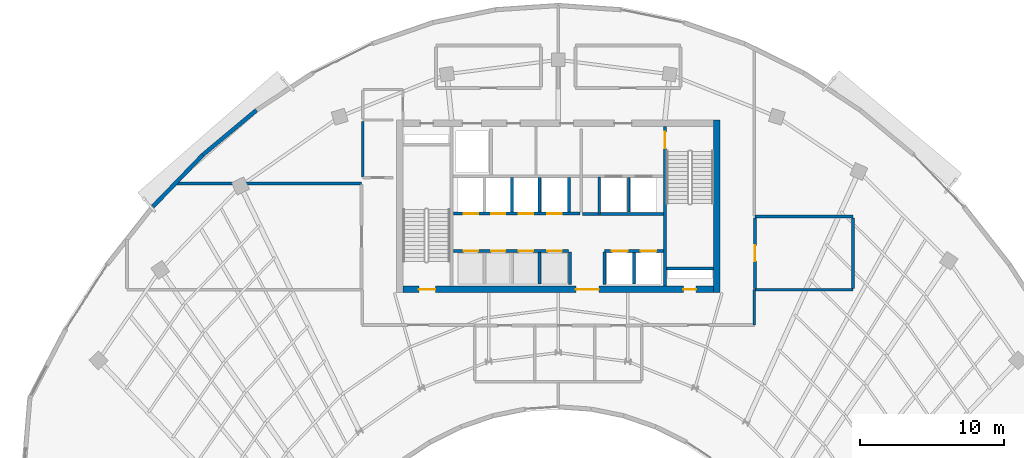
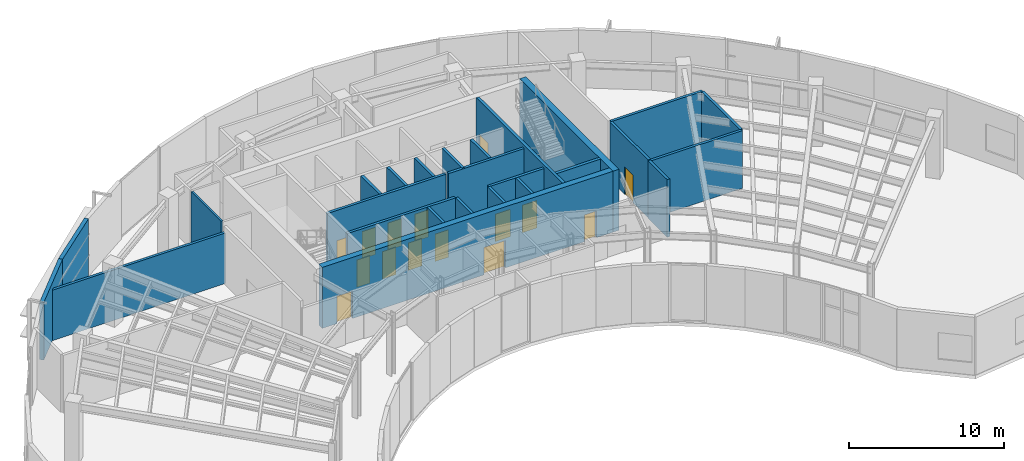
# One storey, part 9 of 15: 26 walls, 15 doors, 15 openings.
"""IFC4 building model written with IfcOpenShell, lengths in metres."""

from ifc_helpers import new_model, si_unit, direction, frame, frame_2d, origin, place, context, subcontext, project, spatial, rectangle, extrude, source, transform, mapped, material, layer, layer_set, type_object, type_shapes, element, fill, save


model = new_model("IFC4")

# Units and contexts
model_context = context("Model", 3, precision=1e-05, world=origin(), true_north=direction((0.0, 1.0)))
body_context = subcontext(model_context, "Body", "Model", "MODEL_VIEW")
ifc_project = project(units=[si_unit("LENGTHUNIT", "METRE"), si_unit("AREAUNIT", "SQUARE_METRE"), si_unit("VOLUMEUNIT", "CUBIC_METRE"), si_unit("PLANEANGLEUNIT", "RADIAN"), si_unit("MASSUNIT", "GRAM", prefix="KILO")], contexts=[model_context])

# Site, building, storey
site_placement = place(None, origin())
site = spatial("IfcSite", under=ifc_project, at=site_placement, CompositionType="ELEMENT")
building_placement = place(site_placement, origin())
building = spatial("IfcBuilding", under=site, at=building_placement, Name="Breltana Convention Tower", CompositionType="ELEMENT")
storey_placement = place(building_placement, frame((0.0, 0.0, 199.199951171875)))
storey = spatial("IfcBuildingStorey", under=building, at=storey_placement, Name="L48", CompositionType="ELEMENT", Elevation=199.199951171875)

# Walls
ifc_material_1 = material(Name="Concrete C50/60", Category="concrete")
ifc_layer_1 = layer(ifc_material_1, 0.39990234375, Name="Concrete C50/60")
ifc_layer_set_1 = layer_set([ifc_layer_1], Name="Concrete C50/60")
wall_type_1 = type_object("IfcWallType", Name="SW-CORE-400", PredefinedType="SHEAR", material=ifc_layer_set_1)
shared_shape_1 = source(origin(), body_context, "Body", "SweptSolid", [
    extrude(rectangle(XDim=3.27001953125, YDim=0.219970703125, at=frame_2d((1.635009765625, 0.0))), origin(), (0.0, 0.0, 1.0), 4.800048828125),
])
wall_1_placement = place(storey_placement, frame((55.530029296875, 61.889892578125, 0.0), z_axis=(0.0, 0.0, 1.0), x_axis=(1.0, 0.0, 0.0)))
element("IfcWall", 1, at=wall_1_placement, inside=storey, type_object=wall_type_1, Name="L48 ST-2 Stairwell South Bearing Wall", PredefinedType="SHEAR", context=body_context, shape_type="MappedRepresentation", body=[
    mapped(shared_shape_1, transform((0.0, 0.0, 0.0), scale=1.0)),
])
ifc_material_2 = material(Name="Concrete C60/75", Category="concrete")
ifc_layer_2 = layer(ifc_material_2, 0.449951171875, Name="Concrete C60/75")
ifc_layer_set_2 = layer_set([ifc_layer_2], Name="Concrete C60/75")
wall_type_2 = type_object("IfcWallType", Name="SW-CORE-450", PredefinedType="SHEAR", material=ifc_layer_set_2)
shared_shape_2 = source(origin(), body_context, "Body", "SweptSolid", [
    extrude(rectangle(XDim=12.0, YDim=0.449951171875, at=frame_2d((6.0, 0.0))), origin(), (0.0, 0.0, 1.0), 4.800048828125),
])
wall_2_placement = place(storey_placement, frame((59.02490234375, 60.199951171875, 0.0), z_axis=(0.0, 0.0, 1.0), x_axis=(0.0, 1.0, 0.0)))
element("IfcWall", 2, at=wall_2_placement, inside=storey, type_object=wall_type_2, Name="L48 East Core Shear Wall", PredefinedType="SHEAR", context=body_context, shape_type="MappedRepresentation", body=[
    mapped(shared_shape_2, transform((0.0, 0.0, 0.0), scale=1.0)),
])

# Wall, openings, doors
shared_shape_3 = source(origin(), body_context, "Body", "SweptSolid", [
    extrude(rectangle(XDim=21.60009765625, YDim=0.449951171875, at=frame_2d((10.800048828125, 0.0))), origin(), (0.0, 0.0, 1.0), 4.800048828125),
])
wall_3_placement = place(storey_placement, frame((37.199951171875, 60.425048828125, 0.0), z_axis=(0.0, 0.0, 1.0), x_axis=(1.0, 0.0, 0.0)))
wall_3 = element("IfcWall", 3, at=wall_3_placement, inside=storey, type_object=wall_type_2, Name="L48 South Core Shear Wall", PredefinedType="SHEAR", context=body_context, shape_type="MappedRepresentation", body=[
    mapped(shared_shape_3, transform((0.0, 0.0, 0.0), scale=1.0)),
])
opening_1_placement = place(wall_3_placement, frame((1.10009765625, 0.0, 0.0)))
opening_1 = element("IfcOpeningElement", 4, at=opening_1_placement, cuts=wall_3, Name="Opening D-11", PredefinedType="OPENING", context=body_context, shape_type="SweptSolid", body=[
    extrude(rectangle(XDim=1.14990234375, YDim=2.14990234375, at=frame_2d((0.574951171875, 1.074951171875))), frame((0.0, 0.23486328125, 0.0), z_axis=(0.0, -1.0, 0.0), x_axis=(1.0, 0.0, 0.0)), (0.0, 0.0, 1.0), 0.469970703125),
])
opening_2_placement = place(wall_3_placement, frame((19.5, 0.0, 0.0)))
opening_2 = element("IfcOpeningElement", 5, at=opening_2_placement, cuts=wall_3, Name="Opening D-18", PredefinedType="OPENING", context=body_context, shape_type="SweptSolid", body=[
    extrude(rectangle(XDim=0.89990234375, YDim=2.10009765625, at=frame_2d((0.449951171875, 1.050048828125))), frame((0.0, 0.23486328125, 0.0), z_axis=(0.0, -1.0, 0.0), x_axis=(1.0, 0.0, 0.0)), (0.0, 0.0, 1.0), 0.469970703125),
])
opening_3_placement = place(wall_3_placement, frame((12.02001953125, 0.0, 0.0)))
opening_3 = element("IfcOpeningElement", 6, at=opening_3_placement, cuts=wall_3, Name="Opening D-02", PredefinedType="OPENING", context=body_context, shape_type="SweptSolid", body=[
    extrude(rectangle(XDim=1.60009765625, YDim=2.14990234375, at=frame_2d((0.800048828125, 1.074951171875))), frame((0.0, 0.23486328125, 0.0), z_axis=(0.0, -1.0, 0.0), x_axis=(1.0, 0.0, 0.0)), (0.0, 0.0, 1.0), 0.469970703125),
])
ifc_material_3 = material(Name="Steel Stair Exit Door", Category="steel")
door_type_1 = type_object("IfcDoorType", Name="DR-FD120-1150", OperationType="NOTDEFINED", PredefinedType="DOOR", material=ifc_material_3)
shared_shape_4 = source(origin(), body_context, "Body", "SweptSolid", [
    extrude(rectangle(XDim=1.14990234375, YDim=2.14990234375, at=frame_2d((0.574951171875, 1.074951171875))), frame((0.0, 0.02490234375, 0.0), z_axis=(0.0, -1.0, 0.0), x_axis=(1.0, 0.0, 0.0)), (0.0, 0.0, 1.0), 0.050048828125),
])
type_shapes(door_type_1, [shared_shape_4])
door_1_placement = place(opening_1_placement, origin())
door_1 = element("IfcDoor", 7, at=door_1_placement, inside=storey, type_object=door_type_1, Name="L48 interior door D-L48-ST1", OperationType="SINGLE_SWING_LEFT", OverallHeight=2.14990234375, OverallWidth=1.14990234375, PredefinedType="DOOR", context=body_context, shape_type="MappedRepresentation", body=[
    mapped(shared_shape_4, transform((0.0, 0.0, 0.0), scale=1.0)),
])
fill(opening_1, door_1)
ifc_material_4 = material(Name="Steel Riser Fire Door", Category="steel")
door_type_2 = type_object("IfcDoorType", Name="DR-FD60-900", OperationType="NOTDEFINED", PredefinedType="DOOR", material=ifc_material_4)
shared_shape_5 = source(origin(), body_context, "Body", "SweptSolid", [
    extrude(rectangle(XDim=0.89990234375, YDim=2.10009765625, at=frame_2d((0.449951171875, 1.050048828125))), frame((0.0, 0.02490234375, 0.0), z_axis=(0.0, -1.0, 0.0), x_axis=(1.0, 0.0, 0.0)), (0.0, 0.0, 1.0), 0.050048828125),
])
type_shapes(door_type_2, [shared_shape_5])
door_2_placement = place(opening_2_placement, origin())
door_2 = element("IfcDoor", 8, at=door_2_placement, inside=storey, type_object=door_type_2, Name="L48 Core Riser Access Door D-L48-RS2", OperationType="SINGLE_SWING_RIGHT", OverallHeight=2.10009765625, OverallWidth=0.89990234375, PredefinedType="DOOR", context=body_context, shape_type="MappedRepresentation", body=[
    mapped(shared_shape_5, transform((0.0, 0.0, 0.0), scale=1.0)),
])
fill(opening_2, door_2)
ifc_material_5 = material(Name="Steel Glazed Smoke-Control Door", Category="steel")
door_type_3 = type_object("IfcDoorType", Name="DR-DBL-FD90-1600", OperationType="DOUBLE_DOOR_SINGLE_SWING", PredefinedType="DOOR", material=ifc_material_5)
shared_shape_6 = source(origin(), body_context, "Body", "SweptSolid", [
    extrude(rectangle(XDim=1.60009765625, YDim=2.14990234375, at=frame_2d((0.800048828125, 1.074951171875))), frame((0.0, 0.02490234375, 0.0), z_axis=(0.0, -1.0, 0.0), x_axis=(1.0, 0.0, 0.0)), (0.0, 0.0, 1.0), 0.050048828125),
])
type_shapes(door_type_3, [shared_shape_6])
door_3_placement = place(opening_3_placement, origin())
door_3 = element("IfcDoor", 9, at=door_3_placement, inside=storey, type_object=door_type_3, Name="L48 interior door D-L48-LLB-S", OperationType="DOUBLE_DOOR_SINGLE_SWING", OverallHeight=2.14990234375, OverallWidth=1.60009765625, PredefinedType="DOOR", context=body_context, shape_type="MappedRepresentation", body=[
    mapped(shared_shape_6, transform((0.0, 0.0, 0.0), scale=1.0)),
])
fill(opening_3, door_3)

# Wall, opening, door
shared_shape_7 = source(origin(), body_context, "Body", "SweptSolid", [
    extrude(rectangle(XDim=11.10009765625, YDim=0.219970703125, at=frame_2d((5.550048828125, 0.0))), origin(), (0.0, 0.0, 1.0), 4.800048828125),
])
wall_4_placement = place(storey_placement, frame((55.419921875, 60.64990234375, 0.0), z_axis=(0.0, 0.0, 1.0), x_axis=(0.0, 1.0, 0.0)))
wall_4 = element("IfcWall", 10, at=wall_4_placement, inside=storey, type_object=wall_type_1, Name="L48 Core East Stair Spine Wall", PredefinedType="SHEAR", context=body_context, shape_type="MappedRepresentation", body=[
    mapped(shared_shape_7, transform((0.0, 0.0, 0.0), scale=1.0)),
])
opening_4_placement = place(wall_4_placement, frame((9.594970703125, 0.0, 0.0)))
opening_4 = element("IfcOpeningElement", 11, at=opening_4_placement, cuts=wall_4, Name="Opening D-11", PredefinedType="OPENING", context=body_context, shape_type="SweptSolid", body=[
    extrude(rectangle(XDim=1.14990234375, YDim=2.14990234375, at=frame_2d((0.574951171875, 1.074951171875))), frame((0.0, 0.1201171875, 0.0), z_axis=(0.0, -1.0, 0.0), x_axis=(1.0, 0.0, 0.0)), (0.0, 0.0, 1.0), 0.239990234375),
])
door_4_placement = place(opening_4_placement, origin())
door_4 = element("IfcDoor", 12, at=door_4_placement, inside=storey, type_object=door_type_1, Name="L48 interior door D-L48-ST2", OperationType="SINGLE_SWING_LEFT", OverallHeight=2.14990234375, OverallWidth=1.14990234375, PredefinedType="DOOR", context=body_context, shape_type="MappedRepresentation", body=[
    mapped(shared_shape_4, transform((0.0, 0.0, 0.0), scale=1.0)),
])
fill(opening_4, door_4)

# Walls
ifc_material_6 = material(Name="Limestone Buff Insulated Wall", Category="masonry")
ifc_layer_3 = layer(ifc_material_6, 0.280029296875, Name="Limestone Buff Insulated Wall")
ifc_layer_set_3 = layer_set([ifc_layer_3], Name="Limestone Buff Insulated Wall")
wall_type_3 = type_object("IfcWallType", Name="WL-EXT-NOSE-280", PredefinedType="SOLIDWALL", material=ifc_layer_set_3)
shared_shape_8 = source(origin(), body_context, "Body", "SweptSolid", [
    extrude(rectangle(XDim=5.000732421875, YDim=0.280029296875, at=frame_2d((2.50048828125, 0.0))), origin(), (0.0, 0.0, 1.0), 4.5400390625),
])
wall_5_placement = place(storey_placement, frame((19.794677734375, 66.190185546875, 0.0), z_axis=(0.0, 0.0, 1.0), x_axis=(0.694572731818, 0.719422490762, 0.0)))
element("IfcWall", 13, at=wall_5_placement, inside=storey, type_object=wall_type_3, Name="L48 curved limestone nose wall E21", PredefinedType="SOLIDWALL", context=body_context, shape_type="MappedRepresentation", body=[
    mapped(shared_shape_8, transform((0.0, 0.0, 0.0), scale=1.0)),
])
shared_shape_9 = source(origin(), body_context, "Body", "SweptSolid", [
    extrude(rectangle(XDim=4.851806640625, YDim=0.280029296875, at=frame_2d((2.42578125, 0.0))), origin(), (0.0, 0.0, 1.0), 4.5400390625),
])
wall_6_placement = place(storey_placement, frame((23.26806640625, 69.787841796875, 0.0), z_axis=(0.0, 0.0, 1.0), x_axis=(0.767936605821, 0.640525853843, 0.0)))
element("IfcWall", 14, at=wall_6_placement, inside=storey, type_object=wall_type_3, Name="L48 curved limestone nose wall E22", PredefinedType="SOLIDWALL", context=body_context, shape_type="MappedRepresentation", body=[
    mapped(shared_shape_9, transform((0.0, 0.0, 0.0), scale=1.0)),
])
ifc_material_7 = material(Name="Autoclaved Aerated Concrete Block", Category="concrete")
ifc_layer_4 = layer(ifc_material_7, 0.199951171875, Name="Autoclaved Aerated Concrete Block")
ifc_layer_set_4 = layer_set([ifc_layer_4], Name="Autoclaved Aerated Concrete Block")
wall_type_4 = type_object("IfcWallType", Name="WL-SHAFT-200", PredefinedType="SOLIDWALL", material=ifc_layer_set_4)
shared_shape_10 = source(origin(), body_context, "Body", "SweptSolid", [
    extrude(rectangle(XDim=2.239990234375, YDim=0.199951171875, at=frame_2d((1.1201171875, 0.0))), origin(), (0.0, 0.0, 1.0), 4.5400390625),
])
for number, where, z_axis, x_axis, name in (
    (15, (48.820068359375, 60.780029296875, 0.0), (0.0, 0.0, 1.0), (0.0, 1.0, 0.0), "L48 interior partition W-L48-PORT-W"),
    (16, (51.219970703125, 60.780029296875, 0.0), (0.0, 0.0, 1.0), (0.0, 1.0, 0.0), "L48 interior partition W-L48-PORT-E"),
):
    element("IfcWall", number, at=place(storey_placement, frame(where, z_axis=z_axis, x_axis=x_axis)), inside=storey, type_object=wall_type_4, Name=name, PredefinedType="SOLIDWALL", context=body_context, shape_type="MappedRepresentation", body=[
        mapped(shared_shape_10, transform((0.0, 0.0, 0.0), scale=1.0)),
    ])
shared_shape_11 = source(origin(), body_context, "Body", "SweptSolid", [
    extrude(rectangle(XDim=5.6201171875, YDim=0.199951171875, at=frame_2d((2.81005859375, 0.0))), origin(), (0.0, 0.0, 1.0), 4.5400390625),
])
wall_7_placement = place(storey_placement, frame((49.699951171875, 65.679931640625, 0.0), z_axis=(0.0, 0.0, 1.0), x_axis=(1.0, 0.0, 0.0)))
element("IfcWall", 17, at=wall_7_placement, inside=storey, type_object=wall_type_4, Name="L48 interior partition W-L48-FL-S", PredefinedType="SOLIDWALL", context=body_context, shape_type="MappedRepresentation", body=[
    mapped(shared_shape_11, transform((0.0, 0.0, 0.0), scale=1.0)),
])
shared_shape_12 = source(origin(), body_context, "Body", "SweptSolid", [
    extrude(rectangle(XDim=2.580078125, YDim=0.199951171875, at=frame_2d((1.2900390625, 0.0))), origin(), (0.0, 0.0, 1.0), 4.5400390625),
])
wall_8_placement = place(storey_placement, frame((50.85009765625, 65.679931640625, 0.0), z_axis=(0.0, 0.0, 1.0), x_axis=(0.0, 1.0, 0.0)))
element("IfcWall", 18, at=wall_8_placement, inside=storey, type_object=wall_type_4, Name="L48 interior partition W-L48-FL-W", PredefinedType="SOLIDWALL", context=body_context, shape_type="MappedRepresentation", body=[
    mapped(shared_shape_12, transform((0.0, 0.0, 0.0), scale=1.0)),
])
shared_shape_13 = source(origin(), body_context, "Body", "SweptSolid", [
    extrude(rectangle(XDim=2.39990234375, YDim=0.199951171875, at=frame_2d((1.199951171875, 0.0))), origin(), (0.0, 0.0, 1.0), 4.5400390625),
])
for number, where, z_axis, x_axis, name in (
    (19, (52.89990234375, 65.800048828125, 0.0), (0.0, 0.0, 1.0), (0.0, 1.0, 0.0), "L48 interior partition W-L48-FL-DIV"),
    (20, (48.75, 65.800048828125, 0.0), (0.0, 0.0, 1.0), (0.0, 1.0, 0.0), "L48 interior partition W-L48-SH-M-END"),
    (21, (44.77001953125, 65.800048828125, 0.0), (0.0, 0.0, 1.0), (0.0, 1.0, 0.0), "L48 interior partition W-L48-SH-M-DIV2"),
    (22, (46.699951171875, 65.800048828125, 0.0), (0.0, 0.0, 1.0), (0.0, 1.0, 0.0), "L48 interior partition W-L48-SH-M-DIV3"),
):
    element("IfcWall", number, at=place(storey_placement, frame(where, z_axis=z_axis, x_axis=x_axis)), inside=storey, type_object=wall_type_4, Name=name, PredefinedType="SOLIDWALL", context=body_context, shape_type="MappedRepresentation", body=[
        mapped(shared_shape_13, transform((0.0, 0.0, 0.0), scale=1.0)),
    ])

# Wall, openings, doors
shared_shape_14 = source(origin(), body_context, "Body", "SweptSolid", [
    extrude(rectangle(XDim=8.800048828125, YDim=0.199951171875, at=frame_2d((4.39990234375, 0.0))), origin(), (0.0, 0.0, 1.0), 4.5400390625),
])
wall_9_placement = place(storey_placement, frame((40.699951171875, 65.699951171875, 0.0), z_axis=(0.0, 0.0, 1.0), x_axis=(1.0, 0.0, 0.0)))
wall_9 = element("IfcWall", 23, at=wall_9_placement, inside=storey, type_object=wall_type_4, Name="L48 interior partition W-L48-SH-M-FRONT", PredefinedType="SOLIDWALL", context=body_context, shape_type="MappedRepresentation", body=[
    mapped(shared_shape_14, transform((0.0, 0.0, 0.0), scale=1.0)),
])
opening_5_placement = place(wall_9_placement, frame((0.719970703125, 0.0, 0.0)))
opening_5 = element("IfcOpeningElement", 24, at=opening_5_placement, cuts=wall_9, Name="Opening LD-04", PredefinedType="OPENING", context=body_context, shape_type="SweptSolid", body=[
    extrude(rectangle(XDim=1.0, YDim=2.14990234375, at=frame_2d((0.5, 1.074951171875))), frame((0.0, 0.10986328125, 0.0), z_axis=(0.0, -1.0, 0.0), x_axis=(1.0, 0.0, 0.0)), (0.0, 0.0, 1.0), 0.219970703125),
])
opening_6_placement = place(wall_9_placement, frame((2.6201171875, 0.0, 0.0)))
opening_6 = element("IfcOpeningElement", 25, at=opening_6_placement, cuts=wall_9, Name="Opening LD-04", PredefinedType="OPENING", context=body_context, shape_type="SweptSolid", body=[
    extrude(rectangle(XDim=1.0, YDim=2.14990234375, at=frame_2d((0.5, 1.074951171875))), frame((0.0, 0.10986328125, 0.0), z_axis=(0.0, -1.0, 0.0), x_axis=(1.0, 0.0, 0.0)), (0.0, 0.0, 1.0), 0.219970703125),
])
opening_7_placement = place(wall_9_placement, frame((4.550048828125, 0.0, 0.0)))
opening_7 = element("IfcOpeningElement", 26, at=opening_7_placement, cuts=wall_9, Name="Opening LD-04", PredefinedType="OPENING", context=body_context, shape_type="SweptSolid", body=[
    extrude(rectangle(XDim=1.0, YDim=2.14990234375, at=frame_2d((0.5, 1.074951171875))), frame((0.0, 0.10986328125, 0.0), z_axis=(0.0, -1.0, 0.0), x_axis=(1.0, 0.0, 0.0)), (0.0, 0.0, 1.0), 0.219970703125),
])
opening_8_placement = place(wall_9_placement, frame((6.550048828125, 0.0, 0.0)))
opening_8 = element("IfcOpeningElement", 27, at=opening_8_placement, cuts=wall_9, Name="Opening LD-04", PredefinedType="OPENING", context=body_context, shape_type="SweptSolid", body=[
    extrude(rectangle(XDim=1.0, YDim=2.14990234375, at=frame_2d((0.5, 1.074951171875))), frame((0.0, 0.10986328125, 0.0), z_axis=(0.0, -1.0, 0.0), x_axis=(1.0, 0.0, 0.0)), (0.0, 0.0, 1.0), 0.219970703125),
])
ifc_material_8 = material(Name="Stainless Steel Brushed", Category="steel")
door_type_4 = type_object("IfcDoorType", Name="DR-LD-PAX-1000", OperationType="DOUBLE_DOOR_SLIDING", PredefinedType="DOOR", material=ifc_material_8)
shared_shape_15 = source(origin(), body_context, "Body", "SweptSolid", [
    extrude(rectangle(XDim=1.0, YDim=2.14990234375, at=frame_2d((0.5, 1.074951171875))), frame((0.0, 0.02490234375, 0.0), z_axis=(0.0, -1.0, 0.0), x_axis=(1.0, 0.0, 0.0)), (0.0, 0.0, 1.0), 0.050048828125),
])
type_shapes(door_type_4, [shared_shape_15])
door_5_placement = place(opening_5_placement, origin())
door_5 = element("IfcDoor", 28, at=door_5_placement, inside=storey, type_object=door_type_4, Name="L48 Lift Landing Door D-L48-LD-M1", OperationType="DOUBLE_DOOR_SLIDING", OverallHeight=2.14990234375, OverallWidth=1.0, PredefinedType="DOOR", context=body_context, shape_type="MappedRepresentation", body=[
    mapped(shared_shape_15, transform((0.0, 0.0, 0.0), scale=1.0)),
])
fill(opening_5, door_5)
door_6_placement = place(opening_6_placement, origin())
door_6 = element("IfcDoor", 29, at=door_6_placement, inside=storey, type_object=door_type_4, Name="L48 Lift Landing Door D-L48-LD-M2", OperationType="DOUBLE_DOOR_SLIDING", OverallHeight=2.14990234375, OverallWidth=1.0, PredefinedType="DOOR", context=body_context, shape_type="MappedRepresentation", body=[
    mapped(shared_shape_15, transform((0.0, 0.0, 0.0), scale=1.0)),
])
fill(opening_6, door_6)
door_7_placement = place(opening_7_placement, origin())
door_7 = element("IfcDoor", 30, at=door_7_placement, inside=storey, type_object=door_type_4, Name="L48 Lift Landing Door D-L48-LD-M3", OperationType="DOUBLE_DOOR_SLIDING", OverallHeight=2.14990234375, OverallWidth=1.0, PredefinedType="DOOR", context=body_context, shape_type="MappedRepresentation", body=[
    mapped(shared_shape_15, transform((0.0, 0.0, 0.0), scale=1.0)),
])
fill(opening_7, door_7)
door_8_placement = place(opening_8_placement, origin())
door_8 = element("IfcDoor", 31, at=door_8_placement, inside=storey, type_object=door_type_4, Name="L48 Lift Landing Door D-L48-LD-M4", OperationType="DOUBLE_DOOR_SLIDING", OverallHeight=2.14990234375, OverallWidth=1.0, PredefinedType="DOOR", context=body_context, shape_type="MappedRepresentation", body=[
    mapped(shared_shape_15, transform((0.0, 0.0, 0.0), scale=1.0)),
])
fill(opening_8, door_8)

shared_shape_16 = source(origin(), body_context, "Body", "SweptSolid", [
    extrude(rectangle(XDim=8.02001953125, YDim=0.199951171875, at=frame_2d((4.010009765625, 0.0))), origin(), (0.0, 0.0, 1.0), 4.5400390625),
])
wall_10_placement = place(storey_placement, frame((40.699951171875, 63.10009765625, 0.0), z_axis=(0.0, 0.0, 1.0), x_axis=(1.0, 0.0, 0.0)))
wall_10 = element("IfcWall", 32, at=wall_10_placement, inside=storey, type_object=wall_type_4, Name="L48 interior partition W-L48-SH-S-FRONT", PredefinedType="SOLIDWALL", context=body_context, shape_type="MappedRepresentation", body=[
    mapped(shared_shape_16, transform((0.0, 0.0, 0.0), scale=1.0)),
])
opening_9_placement = place(wall_10_placement, frame((0.719970703125, 0.0, 0.0)))
opening_9 = element("IfcOpeningElement", 33, at=opening_9_placement, cuts=wall_10, Name="Opening LD-04", PredefinedType="OPENING", context=body_context, shape_type="SweptSolid", body=[
    extrude(rectangle(XDim=1.0, YDim=2.14990234375, at=frame_2d((0.5, 1.074951171875))), frame((0.0, 0.10986328125, 0.0), z_axis=(0.0, -1.0, 0.0), x_axis=(1.0, 0.0, 0.0)), (0.0, 0.0, 1.0), 0.219970703125),
])
opening_10_placement = place(wall_10_placement, frame((2.6201171875, 0.0, 0.0)))
opening_10 = element("IfcOpeningElement", 34, at=opening_10_placement, cuts=wall_10, Name="Opening LD-04", PredefinedType="OPENING", context=body_context, shape_type="SweptSolid", body=[
    extrude(rectangle(XDim=1.0, YDim=2.14990234375, at=frame_2d((0.5, 1.074951171875))), frame((0.0, 0.10986328125, 0.0), z_axis=(0.0, -1.0, 0.0), x_axis=(1.0, 0.0, 0.0)), (0.0, 0.0, 1.0), 0.219970703125),
])
opening_11_placement = place(wall_10_placement, frame((4.550048828125, 0.0, 0.0)))
opening_11 = element("IfcOpeningElement", 35, at=opening_11_placement, cuts=wall_10, Name="Opening LD-04", PredefinedType="OPENING", context=body_context, shape_type="SweptSolid", body=[
    extrude(rectangle(XDim=1.0, YDim=2.14990234375, at=frame_2d((0.5, 1.074951171875))), frame((0.0, 0.10986328125, 0.0), z_axis=(0.0, -1.0, 0.0), x_axis=(1.0, 0.0, 0.0)), (0.0, 0.0, 1.0), 0.219970703125),
])
opening_12_placement = place(wall_10_placement, frame((6.550048828125, 0.0, 0.0)))
opening_12 = element("IfcOpeningElement", 36, at=opening_12_placement, cuts=wall_10, Name="Opening LD-04", PredefinedType="OPENING", context=body_context, shape_type="SweptSolid", body=[
    extrude(rectangle(XDim=1.0, YDim=2.14990234375, at=frame_2d((0.5, 1.074951171875))), frame((0.0, 0.10986328125, 0.0), z_axis=(0.0, -1.0, 0.0), x_axis=(1.0, 0.0, 0.0)), (0.0, 0.0, 1.0), 0.219970703125),
])
door_9_placement = place(opening_9_placement, origin())
door_9 = element("IfcDoor", 37, at=door_9_placement, inside=storey, type_object=door_type_4, Name="L48 Lift Landing Door D-L48-LD-S1", OperationType="DOUBLE_DOOR_SLIDING", OverallHeight=2.14990234375, OverallWidth=1.0, PredefinedType="DOOR", context=body_context, shape_type="MappedRepresentation", body=[
    mapped(shared_shape_15, transform((0.0, 0.0, 0.0), scale=1.0)),
])
fill(opening_9, door_9)
door_10_placement = place(opening_10_placement, origin())
door_10 = element("IfcDoor", 38, at=door_10_placement, inside=storey, type_object=door_type_4, Name="L48 Lift Landing Door D-L48-LD-S2", OperationType="DOUBLE_DOOR_SLIDING", OverallHeight=2.14990234375, OverallWidth=1.0, PredefinedType="DOOR", context=body_context, shape_type="MappedRepresentation", body=[
    mapped(shared_shape_15, transform((0.0, 0.0, 0.0), scale=1.0)),
])
fill(opening_10, door_10)
door_11_placement = place(opening_11_placement, origin())
door_11 = element("IfcDoor", 39, at=door_11_placement, inside=storey, type_object=door_type_4, Name="L48 Lift Landing Door D-L48-LD-S3", OperationType="DOUBLE_DOOR_SLIDING", OverallHeight=2.14990234375, OverallWidth=1.0, PredefinedType="DOOR", context=body_context, shape_type="MappedRepresentation", body=[
    mapped(shared_shape_15, transform((0.0, 0.0, 0.0), scale=1.0)),
])
fill(opening_11, door_11)
door_12_placement = place(opening_12_placement, origin())
door_12 = element("IfcDoor", 40, at=door_12_placement, inside=storey, type_object=door_type_4, Name="L48 Lift Landing Door D-L48-LD-S4", OperationType="DOUBLE_DOOR_SLIDING", OverallHeight=2.14990234375, OverallWidth=1.0, PredefinedType="DOOR", context=body_context, shape_type="MappedRepresentation", body=[
    mapped(shared_shape_15, transform((0.0, 0.0, 0.0), scale=1.0)),
])
fill(opening_12, door_12)

shared_shape_17 = source(origin(), body_context, "Body", "SweptSolid", [
    extrude(rectangle(XDim=4.10009765625, YDim=0.199951171875, at=frame_2d((2.050048828125, 0.0))), origin(), (0.0, 0.0, 1.0), 4.5400390625),
])
wall_11_placement = place(storey_placement, frame((51.219970703125, 63.10009765625, 0.0), z_axis=(0.0, 0.0, 1.0), x_axis=(1.0, 0.0, 0.0)))
wall_11 = element("IfcWall", 41, at=wall_11_placement, inside=storey, type_object=wall_type_4, Name="L48 interior partition W-L48-SH-X-FRONT", PredefinedType="SOLIDWALL", context=body_context, shape_type="MappedRepresentation", body=[
    mapped(shared_shape_17, transform((0.0, 0.0, 0.0), scale=1.0)),
])
opening_13_placement = place(wall_11_placement, frame((0.510009765625, 0.0, 0.0)))
opening_13 = element("IfcOpeningElement", 42, at=opening_13_placement, cuts=wall_11, Name="Opening LD-02", PredefinedType="OPENING", context=body_context, shape_type="SweptSolid", body=[
    extrude(rectangle(XDim=1.10009765625, YDim=2.14990234375, at=frame_2d((0.550048828125, 1.074951171875))), frame((0.0, 0.10986328125, 0.0), z_axis=(0.0, -1.0, 0.0), x_axis=(1.0, 0.0, 0.0)), (0.0, 0.0, 1.0), 0.219970703125),
])
opening_14_placement = place(wall_11_placement, frame((2.510009765625, 0.0, 0.0)))
opening_14 = element("IfcOpeningElement", 43, at=opening_14_placement, cuts=wall_11, Name="Opening LD-02", PredefinedType="OPENING", context=body_context, shape_type="SweptSolid", body=[
    extrude(rectangle(XDim=1.10009765625, YDim=2.14990234375, at=frame_2d((0.550048828125, 1.074951171875))), frame((0.0, 0.10986328125, 0.0), z_axis=(0.0, -1.0, 0.0), x_axis=(1.0, 0.0, 0.0)), (0.0, 0.0, 1.0), 0.219970703125),
])
ifc_material_9 = material(Name="Stainless Steel Bronze", Category="steel")
door_type_5 = type_object("IfcDoorType", Name="DR-LD-EXP-1100", OperationType="DOUBLE_DOOR_SLIDING", PredefinedType="DOOR", material=ifc_material_9)
shared_shape_18 = source(origin(), body_context, "Body", "SweptSolid", [
    extrude(rectangle(XDim=1.10009765625, YDim=2.14990234375, at=frame_2d((0.550048828125, 1.074951171875))), frame((0.0, 0.02490234375, 0.0), z_axis=(0.0, -1.0, 0.0), x_axis=(1.0, 0.0, 0.0)), (0.0, 0.0, 1.0), 0.050048828125),
])
type_shapes(door_type_5, [shared_shape_18])
door_13_placement = place(opening_13_placement, origin())
door_13 = element("IfcDoor", 44, at=door_13_placement, inside=storey, type_object=door_type_5, Name="L48 Lift Landing Door D-L48-LD-X1", OperationType="DOUBLE_DOOR_SLIDING", OverallHeight=2.14990234375, OverallWidth=1.10009765625, PredefinedType="DOOR", context=body_context, shape_type="MappedRepresentation", body=[
    mapped(shared_shape_18, transform((0.0, 0.0, 0.0), scale=1.0)),
])
fill(opening_13, door_13)
door_14_placement = place(opening_14_placement, origin())
door_14 = element("IfcDoor", 45, at=door_14_placement, inside=storey, type_object=door_type_5, Name="L48 Lift Landing Door D-L48-LD-X2", OperationType="DOUBLE_DOOR_SLIDING", OverallHeight=2.14990234375, OverallWidth=1.10009765625, PredefinedType="DOOR", context=body_context, shape_type="MappedRepresentation", body=[
    mapped(shared_shape_18, transform((0.0, 0.0, 0.0), scale=1.0)),
])
fill(opening_14, door_14)

# Walls
shared_shape_19 = source(origin(), body_context, "Body", "SweptSolid", [
    extrude(rectangle(XDim=2.199951171875, YDim=0.199951171875, at=frame_2d((1.10009765625, 0.0))), origin(), (0.0, 0.0, 1.0), 4.5400390625),
])
for number, where, z_axis, x_axis, name in (
    (46, (46.699951171875, 60.800048828125, 0.0), (0.0, 0.0, 1.0), (0.0, 1.0, 0.0), "L48 interior partition W-L48-SH-S-DIV3"),
    (47, (53.280029296875, 60.800048828125, 0.0), (0.0, 0.0, 1.0), (0.0, 1.0, 0.0), "L48 interior partition W-L48-SH-X-DIV"),
):
    element("IfcWall", number, at=place(storey_placement, frame(where, z_axis=z_axis, x_axis=x_axis)), inside=storey, type_object=wall_type_4, Name=name, PredefinedType="SOLIDWALL", context=body_context, shape_type="MappedRepresentation", body=[
        mapped(shared_shape_19, transform((0.0, 0.0, 0.0), scale=1.0)),
    ])
ifc_material_10 = material(Name="Gypsum Acoustic Drywall Partition")
ifc_layer_5 = layer(ifc_material_10, 0.14990234375, Name="Gypsum Acoustic Drywall Partition")
ifc_layer_set_5 = layer_set([ifc_layer_5], Name="Gypsum Acoustic Drywall Partition")
wall_type_5 = type_object("IfcWallType", Name="WL-PART-150", PredefinedType="PARTITIONING", material=ifc_layer_set_5)
shared_shape_20 = source(origin(), body_context, "Body", "SweptSolid", [
    extrude(rectangle(XDim=3.844970703125, YDim=0.14990234375, at=frame_2d((1.92236328125, 0.0))), origin(), (0.0, 0.0, 1.0), 4.5400390625),
])
wall_12_placement = place(storey_placement, frame((34.39990234375, 68.267578125, 0.0), z_axis=(0.0, 0.0, 1.0), x_axis=(0.0, 1.0, 0.0)))
element("IfcWall", 48, at=wall_12_placement, inside=storey, type_object=wall_type_5, Name="L48 interior partition W-L48-CRSW-W", PredefinedType="PARTITIONING", context=body_context, shape_type="MappedRepresentation", body=[
    mapped(shared_shape_20, transform((0.0, 0.0, 0.0), scale=1.0)),
])
ifc_material_11 = material(Name="Gypsum Acoustic Hotel Wall")
ifc_layer_6 = layer(ifc_material_11, 0.195068359375, Name="Gypsum Acoustic Hotel Wall")
ifc_layer_set_6 = layer_set([ifc_layer_6], Name="Gypsum Acoustic Hotel Wall")
wall_type_6 = type_object("IfcWallType", Name="WL-HOTEL-200", PredefinedType="PARTITIONING", material=ifc_layer_set_6)
shared_shape_21 = source(origin(), body_context, "Body", "SweptSolid", [
    extrude(rectangle(XDim=6.820068359375, YDim=0.195068359375, at=frame_2d((3.41015625, 0.0))), origin(), (0.0, 0.0, 1.0), 4.5400390625),
])
for number, where, z_axis, x_axis, name in (
    (49, (61.679931640625, 60.39990234375, 0.0), (0.0, 0.0, 1.0), (1.0, 0.0, 0.0), "L48 interior partition W-L48-STEA-S"),
    (50, (61.679931640625, 65.5, 0.0), (0.0, 0.0, 1.0), (1.0, 0.0, 0.0), "L48 interior partition W-L48-STEA-N"),
):
    element("IfcWall", number, at=place(storey_placement, frame(where, z_axis=z_axis, x_axis=x_axis)), inside=storey, type_object=wall_type_6, Name=name, PredefinedType="PARTITIONING", context=body_context, shape_type="MappedRepresentation", body=[
        mapped(shared_shape_21, transform((0.0, 0.0, 0.0), scale=1.0)),
    ])

# Wall, opening, door
shared_shape_22 = source(origin(), body_context, "Body", "SweptSolid", [
    extrude(rectangle(XDim=4.924560546875, YDim=0.195068359375, at=frame_2d((2.46240234375, 0.0))), origin(), (0.0, 0.0, 1.0), 4.5400390625),
])
wall_13_placement = place(storey_placement, frame((61.679931640625, 60.48779296875, 0.0), z_axis=(0.0, 0.0, 1.0), x_axis=(0.0, 1.0, 0.0)))
wall_13 = element("IfcWall", 51, at=wall_13_placement, inside=storey, type_object=wall_type_6, Name="L48 interior partition W-L48-STEA-W", PredefinedType="PARTITIONING", context=body_context, shape_type="MappedRepresentation", body=[
    mapped(shared_shape_22, transform((0.0, 0.0, 0.0), scale=1.0)),
])
opening_15_placement = place(wall_13_placement, frame((1.912353515625, 0.0, 0.0)))
opening_15 = element("IfcOpeningElement", 52, at=opening_15_placement, cuts=wall_13, Name="Opening D-12", PredefinedType="OPENING", context=body_context, shape_type="SweptSolid", body=[
    extrude(rectangle(XDim=1.10009765625, YDim=2.14990234375, at=frame_2d((0.550048828125, 1.074951171875))), frame((0.0, 0.107421875, 0.0), z_axis=(0.0, -1.0, 0.0), x_axis=(1.0, 0.0, 0.0)), (0.0, 0.0, 1.0), 0.215087890625),
])
ifc_material_12 = material(Name="Timber Oak Acoustic Door", Category="wood")
door_type_6 = type_object("IfcDoorType", Name="DR-INT-1100", OperationType="NOTDEFINED", PredefinedType="DOOR", material=ifc_material_12)
shared_shape_23 = source(origin(), body_context, "Body", "SweptSolid", [
    extrude(rectangle(XDim=1.10009765625, YDim=2.14990234375, at=frame_2d((0.550048828125, 1.074951171875))), frame((0.0, 0.02490234375, 0.0), z_axis=(0.0, -1.0, 0.0), x_axis=(1.0, 0.0, 0.0)), (0.0, 0.0, 1.0), 0.050048828125),
])
type_shapes(door_type_6, [shared_shape_23])
door_15_placement = place(opening_15_placement, origin())
door_15 = element("IfcDoor", 53, at=door_15_placement, inside=storey, type_object=door_type_6, Name="L48 interior door D-L48-STEA", OperationType="SINGLE_SWING_LEFT", OverallHeight=2.14990234375, OverallWidth=1.10009765625, PredefinedType="DOOR", context=body_context, shape_type="MappedRepresentation", body=[
    mapped(shared_shape_23, transform((0.0, 0.0, 0.0), scale=1.0)),
])
fill(opening_15, door_15)

# Walls
wall_14_placement = place(storey_placement, frame((68.5, 60.48779296875, 0.0), z_axis=(0.0, 0.0, 1.0), x_axis=(0.0, 1.0, 0.0)))
element("IfcWall", 54, at=wall_14_placement, inside=storey, type_object=wall_type_6, Name="L48 interior partition W-L48-STEA-E", PredefinedType="PARTITIONING", context=body_context, shape_type="MappedRepresentation", body=[
    mapped(shared_shape_22, transform((0.0, 0.0, 0.0), scale=1.0)),
])
shared_shape_24 = source(origin(), body_context, "Body", "SweptSolid", [
    extrude(rectangle(XDim=12.957275390625, YDim=0.195068359375, at=frame_2d((6.478515625, 0.0))), origin(), (0.0, 0.0, 1.0), 3.970947265625),
])
wall_15_placement = place(storey_placement, frame((21.36279296875, 67.800048828125, 0.0), z_axis=(0.0, 0.0, 1.0), x_axis=(1.0, 0.0, 0.0)))
element("IfcWall", 55, at=wall_15_placement, inside=storey, type_object=wall_type_6, Name="L48 interior partition W-L48-AUD48-N", PredefinedType="PARTITIONING", context=body_context, shape_type="MappedRepresentation", body=[
    mapped(shared_shape_24, transform((0.0, 0.0, 0.0), scale=1.0)),
])
shared_shape_25 = source(origin(), body_context, "Body", "SweptSolid", [
    extrude(rectangle(XDim=2.4599609375, YDim=0.195068359375, at=frame_2d((1.22998046875, 0.0))), origin(), (0.0, 0.0, 1.0), 4.5400390625),
])
wall_16_placement = place(storey_placement, frame((61.639892578125, 57.9599609375, 0.0), z_axis=(0.0, 0.0, 1.0), x_axis=(0.0, 1.0, 0.0)))
element("IfcWall", 56, at=wall_16_placement, inside=storey, type_object=wall_type_6, Name="L48 interior partition W-L48-L48-EC", PredefinedType="PARTITIONING", context=body_context, shape_type="MappedRepresentation", body=[
    mapped(shared_shape_25, transform((0.0, 0.0, 0.0), scale=1.0)),
])

save(model, "model.ifc")
